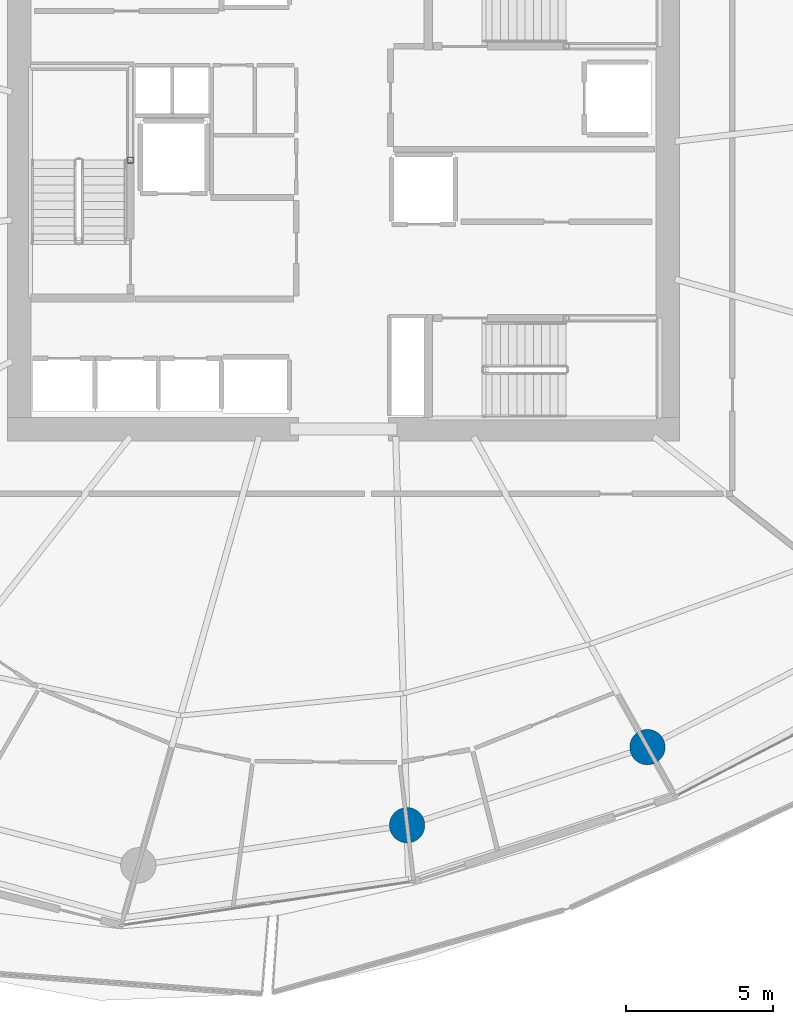
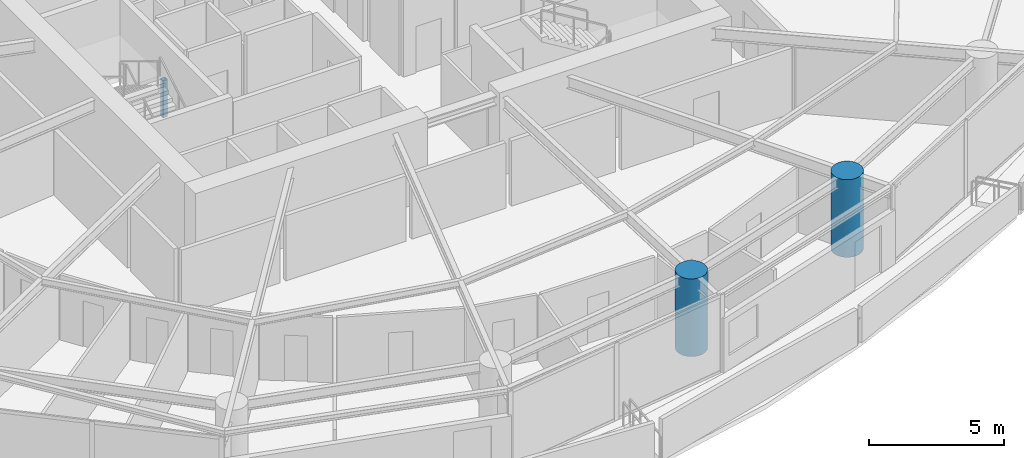
# One storey, part 2 of 23: 3 columns.
"""IFC4 building model written with IfcOpenShell, lengths in metres."""

from ifc_helpers import new_model, si_unit, direction, frame, origin, origin_2d, place, context, subcontext, project, spatial, hollow_rectangle, circle, extrude, material, material_profile, profile_set, type_object, element, save


model = new_model("IFC4")

# Units and contexts
model_context = context("Model", 3, precision=1e-05, world=origin(), true_north=direction((0.0, 1.0)))
body_context = subcontext(model_context, "Body", "Model", "MODEL_VIEW")
ifc_project = project(units=[si_unit("LENGTHUNIT", "METRE"), si_unit("AREAUNIT", "SQUARE_METRE"), si_unit("VOLUMEUNIT", "CUBIC_METRE"), si_unit("PLANEANGLEUNIT", "RADIAN"), si_unit("MASSUNIT", "GRAM", prefix="KILO")], contexts=[model_context])

# Site, building, storey
site_placement = place(None, origin())
site = spatial("IfcSite", under=ifc_project, at=site_placement, CompositionType="ELEMENT")
building_placement = place(site_placement, origin())
building = spatial("IfcBuilding", under=site, at=building_placement, Name="Kazma Halo Residences", CompositionType="ELEMENT")
storey_placement = place(building_placement, frame((0.0, 0.0, 108.89990234375)))
storey = spatial("IfcBuildingStorey", under=building, at=storey_placement, Name="L27", CompositionType="ELEMENT", Elevation=108.89990234375)

# Columns
ifc_material_1 = material(Name="Steel S355", Category="steel")
ifc_material_profile_1 = material_profile(ifc_material_1, hollow_rectangle(XDim=0.199951171875, YDim=0.199951171875, WallThickness=0.010009765625, InnerFilletRadius=0.010009765625, OuterFilletRadius=0.02001953125, at=origin_2d()), Name="SHS200x200x10")
ifc_profile_set_1 = profile_set([ifc_material_profile_1], Name="Steel S355")
column_type_1 = type_object("IfcColumnType", Name="COL-LP-SHS200", PredefinedType="COLUMN", material=ifc_profile_set_1)
column_placement = place(storey_placement, frame((41.179931640625, 42.75, 0.0), z_axis=(0.0, 0.0, 1.0), x_axis=(1.0, 0.0, 0.0)))
element("IfcColumn", 1, at=column_placement, inside=storey, type_object=column_type_1, Name="L27 ST-01 landing pilaster 1", PredefinedType="COLUMN", context=body_context, shape_type="SweptSolid", body=[
    extrude(hollow_rectangle(XDim=0.199951171875, YDim=0.199951171875, WallThickness=0.010009765625, InnerFilletRadius=0.010009765625, OuterFilletRadius=0.02001953125, at=origin_2d()), origin(), (0.0, 0.0, 1.0), 1.670166015625),
])
ifc_material_2 = material(Name="Concrete C80/95", Category="concrete")
ifc_material_profile_2 = material_profile(ifc_material_2, circle(Radius=0.60009765625, at=origin_2d()), Name="CIRC1200")
ifc_profile_set_2 = profile_set([ifc_material_profile_2], Name="Concrete C80/95")
column_type_2 = type_object("IfcColumnType", Name="COL-PERIM-1200", PredefinedType="COLUMN", material=ifc_profile_set_2)
for number, where, z_axis, x_axis, name in (
    (2, (50.58837890625, 20.130859375, 0.0), (0.0, 0.0, 1.0), (1.0, 0.0, 0.0), "L27 perimeter ring column P12"),
    (3, (58.76025390625, 22.7861328125, 0.0), (0.0, 0.0, 1.0), (1.0, 0.0, 0.0), "L27 perimeter ring column P13"),
):
    element("IfcColumn", number, at=place(storey_placement, frame(where, z_axis=z_axis, x_axis=x_axis)), inside=storey, type_object=column_type_2, Name=name, PredefinedType="COLUMN", context=body_context, shape_type="SweptSolid", body=[
        extrude(circle(Radius=0.60009765625, at=origin_2d()), origin(), (0.0, 0.0, 1.0), 3.5),
    ])

save(model, "model.ifc")
